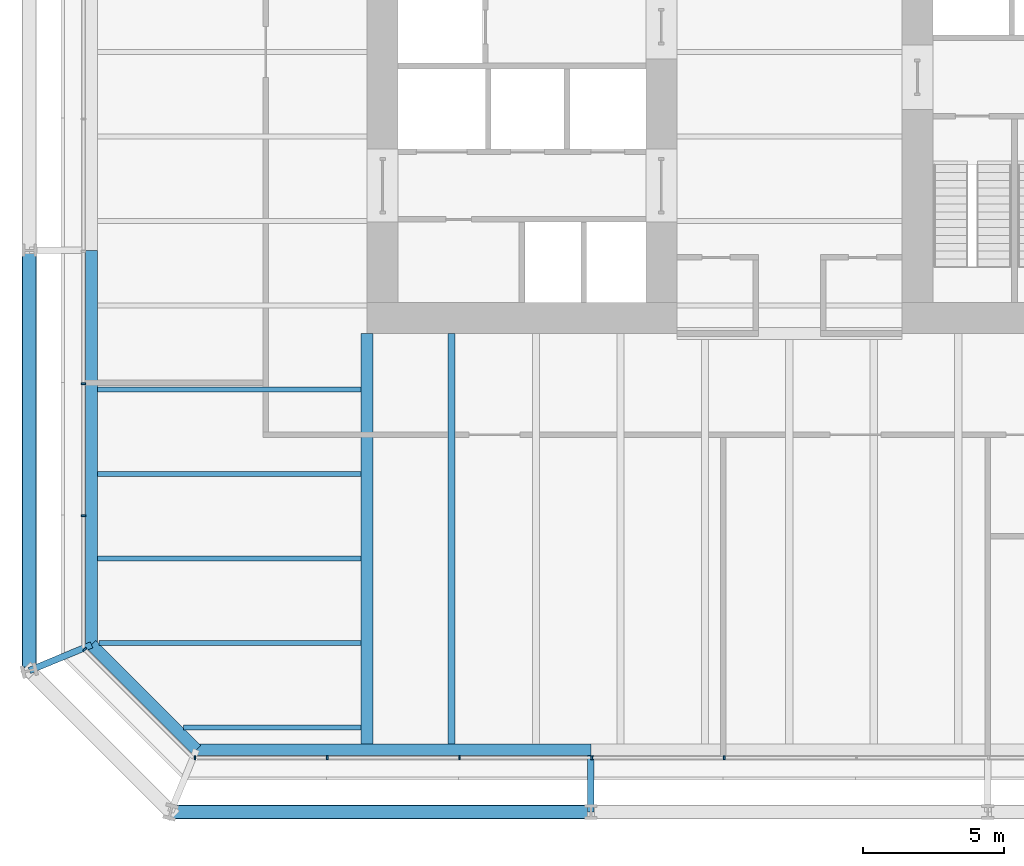
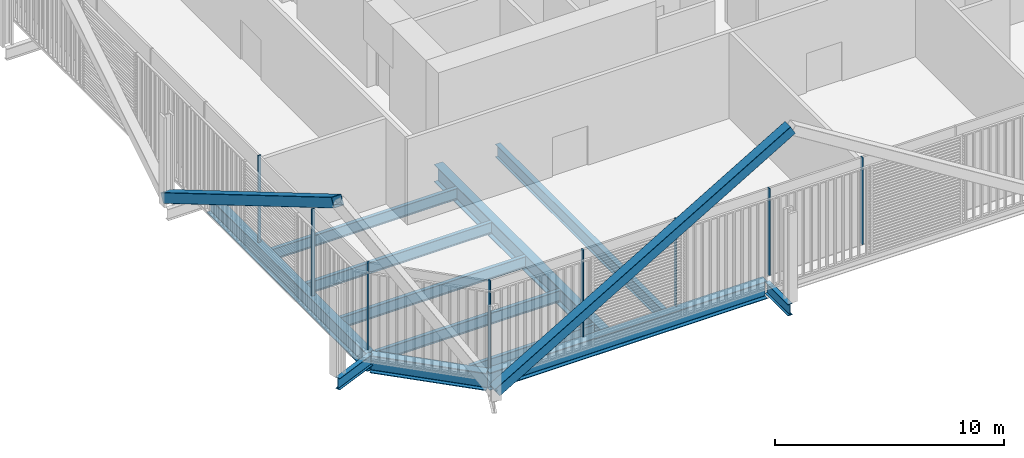
# One storey, part 2 of 22: 12 beams, 10 members, 3 elements without a shape of their own.
"""IFC4 building model written with IfcOpenShell, lengths in metres."""

from ifc_helpers import new_model, si_unit, direction, frame, origin, origin_2d, place, context, subcontext, project, spatial, rectangle, hollow_rectangle, i_section, extrude, material, layer, layer_set, material_profile, profile_set, type_object, element, aggregate, save


model = new_model("IFC4")

# Units and contexts
model_context = context("Model", 3, precision=1e-05, world=origin(), true_north=direction((0.0, 1.0)))
body_context = subcontext(model_context, "Body", "Model", "MODEL_VIEW")
ifc_project = project(units=[si_unit("LENGTHUNIT", "METRE"), si_unit("AREAUNIT", "SQUARE_METRE"), si_unit("VOLUMEUNIT", "CUBIC_METRE"), si_unit("PLANEANGLEUNIT", "RADIAN"), si_unit("MASSUNIT", "GRAM", prefix="KILO")], contexts=[model_context])

# Site, building, storey
site_placement = place(None, origin())
site = spatial("IfcSite", under=ifc_project, at=site_placement, CompositionType="ELEMENT")
building_placement = place(site_placement, origin())
building = spatial("IfcBuilding", under=site, at=building_placement, Name="Millrace Tower", CompositionType="ELEMENT")
storey_placement = place(building_placement, frame((0.0, 0.0, 44.89990234375)))
storey = spatial("IfcBuildingStorey", under=building, at=storey_placement, Name="L10", CompositionType="ELEMENT", Elevation=44.89990234375)

# Curtain wall, member
ifc_material_1 = material(Name="Aluminium and glass", Category="aluminium")
ifc_layer = layer(ifc_material_1, 0.14990234375)
ifc_layer_set = layer_set([ifc_layer], Name="Aluminium and glass")
curtain_wall_type = type_object("IfcCurtainWallType", Name="CW-2 data hall insulated curtain wall", PredefinedType="NOTDEFINED", material=ifc_layer_set)
placement = place(storey_placement, origin())
curtain_wall_1 = element("IfcCurtainWall", 1, at=placement, inside=storey, type_object=curtain_wall_type, Name="Curtain wall A-F01 L10", PredefinedType="NOTDEFINED")
ifc_material_2 = material(Name="Aluminium", Category="aluminium")
ifc_material_profile_1 = material_profile(ifc_material_2, rectangle(XDim=0.06494140625, YDim=0.14990234375, at=origin_2d()))
ifc_profile_set_1 = profile_set([ifc_material_profile_1], Name="Aluminium")
member_type_1 = type_object("IfcMemberType", Name="CW-2 data hall insulated curtain wall mullion", PredefinedType="MULLION", material=ifc_profile_set_1)
member_1_placement = place(storey_placement, frame((-25.030029296875, -21.22607421875, 0.16015625), z_axis=(0.0, 0.0, 1.0), x_axis=(0.707106781187, -0.707106781187, 0.0)))
member_1 = element("IfcMember", 2, at=member_1_placement, type_object=member_type_1, Name="CW2 mullion A-F01.1", PredefinedType="MULLION", context=body_context, shape_type="SweptSolid", body=[
    extrude(rectangle(XDim=0.06494140625, YDim=0.14990234375, at=origin_2d()), origin(), (0.0, 0.0, 1.0), 4.639892578125),
])
aggregate(curtain_wall_1, [member_1])

# Curtain wall, members
curtain_wall_2 = element("IfcCurtainWall", 3, at=placement, inside=storey, type_object=curtain_wall_type, Name="Curtain wall A-F02 L10", PredefinedType="NOTDEFINED")
member_2_placement = place(storey_placement, frame((-21.117431640625, -25.074951171875, 0.16015625), z_axis=(0.0, 0.0, 1.0), x_axis=(1.0, 0.0, 0.0)))
member_2 = element("IfcMember", 4, at=member_2_placement, type_object=member_type_1, Name="CW2 mullion A-F02.1", PredefinedType="MULLION", context=body_context, shape_type="SweptSolid", body=[
    extrude(rectangle(XDim=0.06494140625, YDim=0.14990234375, at=origin_2d()), origin(), (0.0, 0.0, 1.0), 4.639892578125),
])
member_3_placement = place(storey_placement, frame((-16.41748046875, -25.074951171875, 0.16015625), z_axis=(0.0, 0.0, 1.0), x_axis=(1.0, 0.0, 0.0)))
member_3 = element("IfcMember", 5, at=member_3_placement, type_object=member_type_1, Name="CW2 mullion A-F02.2", PredefinedType="MULLION", context=body_context, shape_type="SweptSolid", body=[
    extrude(rectangle(XDim=0.06494140625, YDim=0.14990234375, at=origin_2d()), origin(), (0.0, 0.0, 1.0), 4.639892578125),
])
member_4_placement = place(storey_placement, frame((-11.717529296875, -25.074951171875, 0.16015625), z_axis=(0.0, 0.0, 1.0), x_axis=(1.0, 0.0, 0.0)))
member_4 = element("IfcMember", 6, at=member_4_placement, type_object=member_type_1, Name="CW2 mullion A-F02.3", PredefinedType="MULLION", context=body_context, shape_type="SweptSolid", body=[
    extrude(rectangle(XDim=0.06494140625, YDim=0.14990234375, at=origin_2d()), origin(), (0.0, 0.0, 1.0), 4.639892578125),
])
member_5_placement = place(storey_placement, frame((-7.017578125, -25.074951171875, 0.16015625), z_axis=(0.0, 0.0, 1.0), x_axis=(1.0, 0.0, 0.0)))
member_5 = element("IfcMember", 7, at=member_5_placement, type_object=member_type_1, Name="CW2 mullion A-F02.4", PredefinedType="MULLION", context=body_context, shape_type="SweptSolid", body=[
    extrude(rectangle(XDim=0.06494140625, YDim=0.14990234375, at=origin_2d()), origin(), (0.0, 0.0, 1.0), 4.639892578125),
])
member_6_placement = place(storey_placement, frame((-2.3173828125, -25.074951171875, 0.16015625), z_axis=(0.0, 0.0, 1.0), x_axis=(1.0, 0.0, 0.0)))
member_6 = element("IfcMember", 8, at=member_6_placement, type_object=member_type_1, Name="CW2 mullion A-F02.5", PredefinedType="MULLION", context=body_context, shape_type="SweptSolid", body=[
    extrude(rectangle(XDim=0.06494140625, YDim=0.14990234375, at=origin_2d()), origin(), (0.0, 0.0, 1.0), 4.639892578125),
])
aggregate(curtain_wall_2, [member_2, member_3, member_4, member_5, member_6])

curtain_wall_3 = element("IfcCurtainWall", 9, at=placement, inside=storey, type_object=curtain_wall_type, Name="Curtain wall A-F08 L10", PredefinedType="NOTDEFINED")
member_7_placement = place(storey_placement, frame((-25.074951171875, -11.782470703125, 0.16015625), z_axis=(0.0, 0.0, 1.0), x_axis=(0.0, -1.0, 0.0)))
member_7 = element("IfcMember", 10, at=member_7_placement, type_object=member_type_1, Name="CW2 mullion A-F08.8", PredefinedType="MULLION", context=body_context, shape_type="SweptSolid", body=[
    extrude(rectangle(XDim=0.06494140625, YDim=0.14990234375, at=origin_2d()), origin(), (0.0, 0.0, 1.0), 4.639892578125),
])
member_8_placement = place(storey_placement, frame((-25.074951171875, -16.482421875, 0.16015625), z_axis=(0.0, 0.0, 1.0), x_axis=(0.0, -1.0, 0.0)))
member_8 = element("IfcMember", 11, at=member_8_placement, type_object=member_type_1, Name="CW2 mullion A-F08.9", PredefinedType="MULLION", context=body_context, shape_type="SweptSolid", body=[
    extrude(rectangle(XDim=0.06494140625, YDim=0.14990234375, at=origin_2d()), origin(), (0.0, 0.0, 1.0), 4.639892578125),
])
aggregate(curtain_wall_3, [member_7, member_8])

# Members
ifc_material_3 = material(Name="Steel ASTM A500 Grade C", Category="steel")
ifc_material_profile_2 = material_profile(ifc_material_3, hollow_rectangle(XDim=0.508056640625, YDim=0.508056640625, WallThickness=0.01904296875, InnerFilletRadius=0.009521484375, OuterFilletRadius=0.028564453125, at=origin_2d()))
ifc_profile_set_2 = profile_set([ifc_material_profile_2], Name="Steel ASTM A500 Grade C")
member_type_2 = type_object("IfcMemberType", Name="Exoskeleton brace HSS20x20x3/4", PredefinedType="BRACE", material=ifc_profile_set_2)
for number, where, z_axis, x_axis, name in (
    (12, (-21.978515625, -27.0, 0.400146484375), (0.861464835883, 0.0, 0.507817227491), (0.0, 1.0, 0.0), "BRC-A-L10-02"),
    (13, (-27.0, -7.050048828125, 0.400146484375), (0.0, -0.861464835883, 0.507817227491), (1.0, 0.0, 0.0), "BRC-A-L10-16"),
):
    element("IfcMember", number, at=place(storey_placement, frame(where, z_axis=z_axis, x_axis=x_axis)), inside=storey, type_object=member_type_2, Name=name, PredefinedType="BRACE", context=body_context, shape_type="SweptSolid", body=[
        extrude(hollow_rectangle(XDim=0.508056640625, YDim=0.508056640625, WallThickness=0.01904296875, InnerFilletRadius=0.009521484375, OuterFilletRadius=0.028564453125, at=origin_2d()), origin(), (0.0, 0.0, 1.0), 17.3291015625),
    ])

# Beams
ifc_material_4 = material(Name="Steel ASTM A992 Grade 50", Category="steel")
ifc_material_profile_3 = material_profile(ifc_material_4, i_section(OverallWidth=0.177978515625, OverallDepth=0.599365234375, WebThickness=0.010009765625, FlangeThickness=0.012939453125, FilletRadius=0.012939453125, at=origin_2d()))
ifc_profile_set_3 = profile_set([ifc_material_profile_3], Name="Steel ASTM A992 Grade 50")
beam_type_1 = type_object("IfcBeamType", Name="Floor beam W24x55", PredefinedType="JOIST", material=ifc_profile_set_3)
beam_1_placement = place(storey_placement, frame((-21.52978515625, -24.0, -0.524658203125), z_axis=(1.0, 0.0, 0.0), x_axis=(0.0, 1.0, 0.0)))
element("IfcBeam", 14, at=beam_1_placement, inside=storey, type_object=beam_type_1, Name="BM-A-L10-S1-S001", PredefinedType="JOIST", context=body_context, shape_type="SweptSolid", body=[
    extrude(i_section(OverallWidth=0.177978515625, OverallDepth=0.599365234375, WebThickness=0.010009765625, FlangeThickness=0.012939453125, FilletRadius=0.012939453125, at=origin_2d()), origin(), (0.0, 0.0, 1.0), 6.317626953125),
])
ifc_material_5 = material(Name="Steel ASTM A992 Grade 50", Category="steel")
ifc_material_profile_4 = material_profile(ifc_material_5, i_section(OverallWidth=0.1787109375, OverallDepth=0.60205078125, WebThickness=0.010986328125, FlangeThickness=0.014892578125, FilletRadius=0.0126953125, at=origin_2d()))
ifc_profile_set_4 = profile_set([ifc_material_profile_4], Name="Steel ASTM A992 Grade 50")
beam_type_2 = type_object("IfcBeamType", Name="Floor beam W24x62", PredefinedType="JOIST", material=ifc_profile_set_4)
for number, where, z_axis, x_axis, name in (
    (15, (-24.578369140625, -18.0, -0.52587890625), (1.0, 0.0, 0.0), (0.0, 1.0, 0.0), "BM-A-L10-S1-S005"),
    (16, (-24.578369140625, -15.0, -0.52587890625), (1.0, 0.0, 0.0), (0.0, 1.0, 0.0), "BM-A-L10-S1-S007"),
    (17, (-24.578369140625, -12.0, -0.52587890625), (1.0, 0.0, 0.0), (0.0, 1.0, 0.0), "BM-A-L10-S1-S009"),
):
    element("IfcBeam", number, at=place(storey_placement, frame(where, z_axis=z_axis, x_axis=x_axis)), inside=storey, type_object=beam_type_2, Name=name, PredefinedType="JOIST", context=body_context, shape_type="SweptSolid", body=[
        extrude(i_section(OverallWidth=0.1787109375, OverallDepth=0.60205078125, WebThickness=0.010986328125, FlangeThickness=0.014892578125, FilletRadius=0.0126953125, at=origin_2d()), origin(), (0.0, 0.0, 1.0), 9.3662109375),
    ])
beam_2_placement = place(storey_placement, frame((-24.52978515625, -21.0, -0.52587890625), z_axis=(1.0, 0.0, 0.0), x_axis=(0.0, 1.0, 0.0)))
element("IfcBeam", 18, at=beam_2_placement, inside=storey, type_object=beam_type_2, Name="BM-A-L10-S1-S003", PredefinedType="JOIST", context=body_context, shape_type="SweptSolid", body=[
    extrude(i_section(OverallWidth=0.1787109375, OverallDepth=0.60205078125, WebThickness=0.010986328125, FlangeThickness=0.014892578125, FilletRadius=0.0126953125, at=origin_2d()), origin(), (0.0, 0.0, 1.0), 9.317626953125),
])
ifc_material_6 = material(Name="Steel ASTM A992 Grade 50", Category="steel")
ifc_material_profile_5 = material_profile(ifc_material_6, i_section(OverallWidth=0.256591796875, OverallDepth=0.693359375, WebThickness=0.014404296875, FlangeThickness=0.023681640625, FilletRadius=0.01513671875, at=origin_2d()))
ifc_profile_set_5 = profile_set([ifc_material_profile_5], Name="Steel ASTM A992 Grade 50")
beam_type_3 = type_object("IfcBeamType", Name="Floor beam W27x114", PredefinedType="JOIST", material=ifc_profile_set_5)
beam_3_placement = place(storey_placement, frame((-12.0, -24.578369140625, -0.571533203125), z_axis=(0.0, 1.0, 0.0), x_axis=(-1.0, 0.0, 0.0)))
element("IfcBeam", 19, at=beam_3_placement, inside=storey, type_object=beam_type_3, Name="BM-A-L10-S1-S043", PredefinedType="JOIST", context=body_context, shape_type="SweptSolid", body=[
    extrude(i_section(OverallWidth=0.256591796875, OverallDepth=0.693359375, WebThickness=0.014404296875, FlangeThickness=0.023681640625, FilletRadius=0.01513671875, at=origin_2d()), origin(), (0.0, 0.0, 1.0), 14.578369140625),
])
ifc_material_7 = material(Name="Steel ASTM A992 Grade 50", Category="steel")
ifc_material_profile_6 = material_profile(ifc_material_7, i_section(OverallWidth=0.424072265625, OverallDepth=0.947509765625, WebThickness=0.02392578125, FlangeThickness=0.042724609375, FilletRadius=0.024169921875, at=origin_2d()))
ifc_profile_set_6 = profile_set([ifc_material_profile_6], Name="Steel ASTM A992 Grade 50")
beam_type_4 = type_object("IfcBeamType", Name="Girder medium span W36x302", PredefinedType="BEAM", material=ifc_profile_set_6)
beam_4_placement = place(storey_placement, frame((-15.0, -24.578369140625, -0.69873046875), z_axis=(0.0, 1.0, 0.0), x_axis=(-1.0, 0.0, 0.0)))
element("IfcBeam", 20, at=beam_4_placement, inside=storey, type_object=beam_type_4, Name="BM-A-L10-S1-G061", PredefinedType="BEAM", context=body_context, shape_type="SweptSolid", body=[
    extrude(i_section(OverallWidth=0.424072265625, OverallDepth=0.947509765625, WebThickness=0.02392578125, FlangeThickness=0.042724609375, FilletRadius=0.024169921875, at=origin_2d()), origin(), (0.0, 0.0, 1.0), 14.578369140625),
])
ifc_material_8 = material(Name="Steel ASTM A992 Grade 50", Category="steel")
ifc_material_profile_7 = material_profile(ifc_material_8, i_section(OverallWidth=0.23046875, OverallDepth=0.6171875, WebThickness=0.01318359375, FlangeThickness=0.022216796875, FilletRadius=0.012939453125, at=origin_2d()))
ifc_profile_set_7 = profile_set([ifc_material_profile_7], Name="Steel ASTM A992 Grade 50")
beam_type_5 = type_object("IfcBeamType", Name="Link beam W24x94", PredefinedType="BEAM", material=ifc_profile_set_7)
beam_5_placement = place(storey_placement, frame((-24.7890625, -21.062744140625, -0.533447265625), z_axis=(-0.923883789366, -0.382673155247, 0.0), x_axis=(0.382673155247, -0.923883789366, 0.0)))
element("IfcBeam", 21, at=beam_5_placement, inside=storey, type_object=beam_type_5, Name="LNK-A-L10-S1-01", PredefinedType="BEAM", context=body_context, shape_type="SweptSolid", body=[
    extrude(i_section(OverallWidth=0.23046875, OverallDepth=0.6171875, WebThickness=0.01318359375, FlangeThickness=0.022216796875, FilletRadius=0.012939453125, at=origin_2d()), origin(), (0.0, 0.0, 1.0), 2.39306640625),
])
beam_6_placement = place(storey_placement, frame((-7.050048828125, -25.0, -0.533447265625), z_axis=(0.0, -1.0, 0.0), x_axis=(1.0, 0.0, 0.0)))
element("IfcBeam", 22, at=beam_6_placement, inside=storey, type_object=beam_type_5, Name="LNK-A-L10-S1-15", PredefinedType="BEAM", context=body_context, shape_type="SweptSolid", body=[
    extrude(i_section(OverallWidth=0.23046875, OverallDepth=0.6171875, WebThickness=0.01318359375, FlangeThickness=0.022216796875, FilletRadius=0.012939453125, at=origin_2d()), origin(), (0.0, 0.0, 1.0), 2.0),
])
ifc_material_9 = material(Name="Steel ASTM A992 Grade 50", Category="steel")
ifc_material_profile_8 = material_profile(ifc_material_9, i_section(OverallWidth=0.421630859375, OverallDepth=0.937255859375, WebThickness=0.021240234375, FlangeThickness=0.03662109375, FilletRadius=0.024169921875, at=origin_2d()))
ifc_profile_set_8 = profile_set([ifc_material_profile_8], Name="Steel ASTM A992 Grade 50")
beam_type_6 = type_object("IfcBeamType", Name="Ring beam medium span W36x262", PredefinedType="SPANDREL", material=ifc_profile_set_8)
for number, where, z_axis, x_axis, name in (
    (23, (-24.7890625, -21.062744140625, -0.693603515625), (0.0, 1.0, 0.0), (-1.0, 0.0, 0.0), "RNG-A-L10-S1-01"),
    (24, (-7.050048828125, -24.7890625, -0.693603515625), (-1.0, 0.0, 0.0), (0.0, -1.0, 0.0), "RNG-A-L10-S1-15"),
):
    element("IfcBeam", number, at=place(storey_placement, frame(where, z_axis=z_axis, x_axis=x_axis)), inside=storey, type_object=beam_type_6, Name=name, PredefinedType="SPANDREL", context=body_context, shape_type="SweptSolid", body=[
        extrude(i_section(OverallWidth=0.421630859375, OverallDepth=0.937255859375, WebThickness=0.021240234375, FlangeThickness=0.03662109375, FilletRadius=0.024169921875, at=origin_2d()), origin(), (0.0, 0.0, 1.0), 14.0126953125),
    ])
ifc_material_10 = material(Name="Steel ASTM A992 Grade 50", Category="steel")
ifc_material_profile_9 = material_profile(ifc_material_10, i_section(OverallWidth=0.421630859375, OverallDepth=0.937255859375, WebThickness=0.021240234375, FlangeThickness=0.03662109375, FilletRadius=0.024169921875, at=origin_2d()))
ifc_profile_set_9 = profile_set([ifc_material_profile_9], Name="Steel ASTM A992 Grade 50")
beam_type_7 = type_object("IfcBeamType", Name="Ring beam short span W36x262", PredefinedType="SPANDREL", material=ifc_profile_set_9)
beam_7_placement = place(storey_placement, frame((-21.062744140625, -24.7890625, -0.693603515625), z_axis=(-0.707106781187, 0.707106781187, 0.0), x_axis=(-0.707106781187, -0.707106781187, 0.0)))
element("IfcBeam", 25, at=beam_7_placement, inside=storey, type_object=beam_type_7, Name="RNG-A-L10-S1-16", PredefinedType="SPANDREL", context=body_context, shape_type="SweptSolid", body=[
    extrude(i_section(OverallWidth=0.421630859375, OverallDepth=0.937255859375, WebThickness=0.021240234375, FlangeThickness=0.03662109375, FilletRadius=0.024169921875, at=origin_2d()), origin(), (0.0, 0.0, 1.0), 5.269775390625),
])

save(model, "model.ifc")
